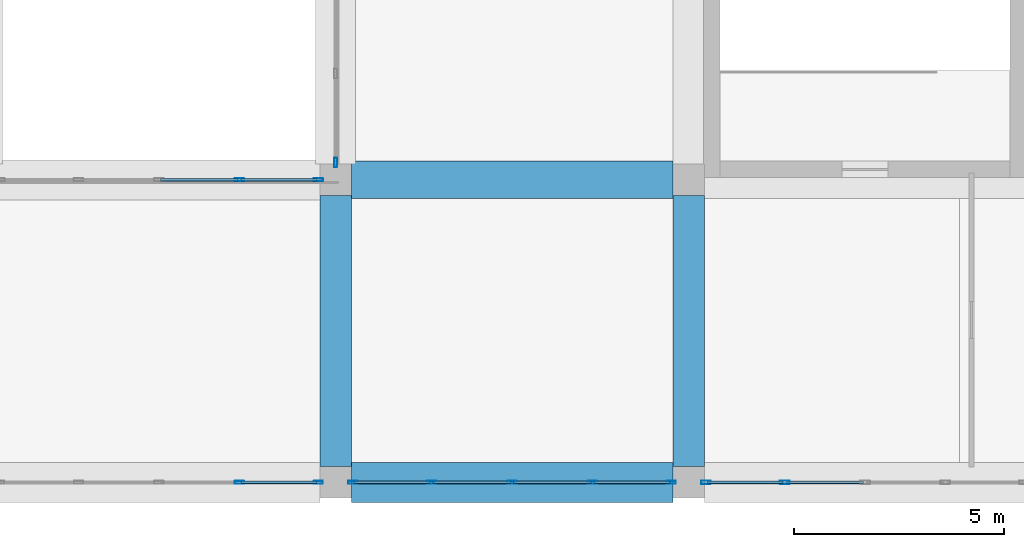
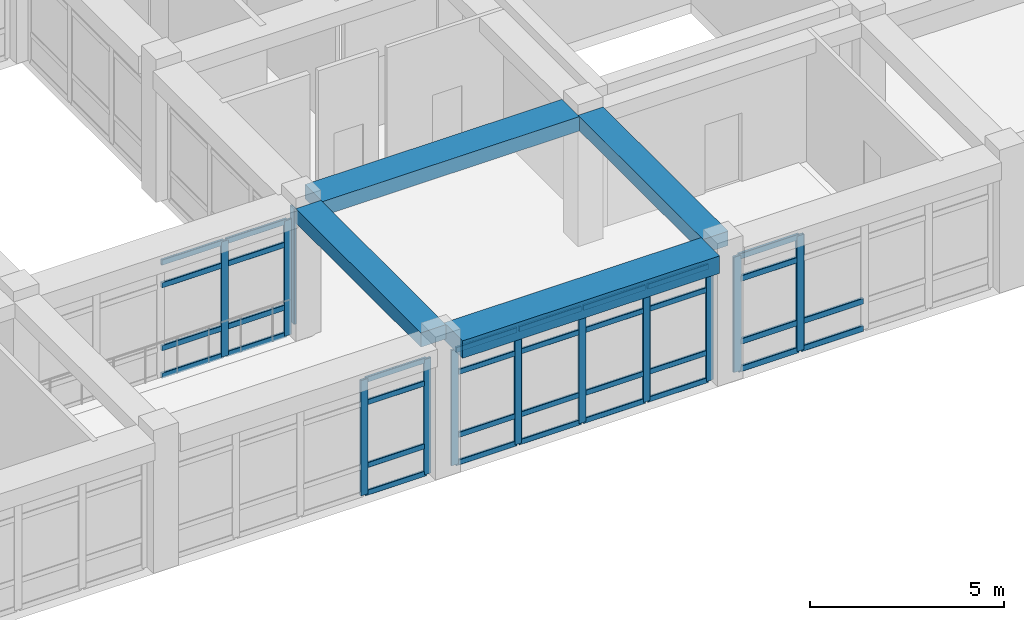
# One storey, part 15 of 121: 46 members, 4 beams, 5 elements without a shape of their own.
"""IFC4 building model written with IfcOpenShell, lengths in metres."""

from ifc_helpers import new_model, si_unit, derived_unit, direction, frame, origin, origin_2d, place, context, subcontext, project, spatial, rectangle, hollow_rectangle, extrude, material, material_profile, profile_set, type_object, element, aggregate, save


model = new_model("IFC4")

# Units and contexts
model_context = context("Model", 3, precision=1e-05, world=origin(), true_north=direction((0.0, 1.0)))
body_context = subcontext(model_context, "Body", "Model", "MODEL_VIEW")
ifc_project = project(units=[si_unit("LENGTHUNIT", "METRE"), si_unit("AREAUNIT", "SQUARE_METRE"), si_unit("VOLUMEUNIT", "CUBIC_METRE"), si_unit("PLANEANGLEUNIT", "RADIAN"), si_unit("MASSUNIT", "GRAM", prefix="KILO"), derived_unit("THERMALTRANSMITTANCEUNIT", [(si_unit("POWERUNIT", "WATT"), 1), (si_unit("LENGTHUNIT", "METRE"), -2), (si_unit("THERMODYNAMICTEMPERATUREUNIT", "KELVIN"), -1)])], contexts=[model_context])

# Site, building, storey
site_placement = place(None, origin())
site = spatial("IfcSite", under=ifc_project, at=site_placement, CompositionType="ELEMENT")
building_placement = place(site_placement, origin())
building = spatial("IfcBuilding", under=site, at=building_placement, Name="Veybourne Emporium", CompositionType="ELEMENT")
storey_placement = place(building_placement, frame((0.0, 0.0, 5.39990234375)))
storey = spatial("IfcBuildingStorey", under=building, at=storey_placement, Name="L01", CompositionType="ELEMENT", Elevation=5.39990234375)

# Curtain wall, members
ifc_material_1 = material(Name="Patinated Architectural Bronze", Category="bronze")
curtain_wall_type_1 = type_object("IfcCurtainWallType", Name="CWSystem_CWS-09", PredefinedType="NOTDEFINED", material=ifc_material_1)
curtain_wall_1_placement = place(storey_placement, origin())
curtain_wall_1 = element("IfcCurtainWall", 1, at=curtain_wall_1_placement, inside=storey, type_object=curtain_wall_type_1, Name="L01 bronze glazed curtain wall CWS-09 (034)", PredefinedType="NOTDEFINED")
ifc_material_profile_1 = material_profile(ifc_material_1, hollow_rectangle(XDim=0.072021484375, YDim=0.22509765625, WallThickness=0.0048828125, InnerFilletRadius=0.007568359375, OuterFilletRadius=0.012451171875, at=origin_2d()), Name="CWM 72x225x5")
ifc_profile_set_1 = profile_set([ifc_material_profile_1], Name="Patinated Architectural Bronze")
member_type_1 = type_object("IfcMemberType", Name="CWMullion_CW-M1", PredefinedType="MULLION", material=ifc_profile_set_1)
member_1_placement = place(storey_placement, frame((64.91259765625, 7.199951171875, 0.0), z_axis=(0.0, 0.0, 1.0), x_axis=(0.0, 1.0, 0.0)))
member_1 = element("IfcMember", 2, at=member_1_placement, type_object=member_type_1, Name="CWS-09 mullion 4", PredefinedType="MULLION", context=body_context, shape_type="SweptSolid", body=[
    extrude(hollow_rectangle(XDim=0.072021484375, YDim=0.22509765625, WallThickness=0.0048828125, InnerFilletRadius=0.007568359375, OuterFilletRadius=0.012451171875, at=origin_2d()), origin(), (0.0, 0.0, 1.0), 3.630126953125),
])
member_2_placement = place(storey_placement, frame((66.7890625, 7.199951171875, 0.0), z_axis=(0.0, 0.0, 1.0), x_axis=(0.0, 1.0, 0.0)))
member_2 = element("IfcMember", 3, at=member_2_placement, type_object=member_type_1, Name="CWS-09 mullion 5", PredefinedType="MULLION", context=body_context, shape_type="SweptSolid", body=[
    extrude(hollow_rectangle(XDim=0.072021484375, YDim=0.22509765625, WallThickness=0.0048828125, InnerFilletRadius=0.007568359375, OuterFilletRadius=0.012451171875, at=origin_2d()), origin(), (0.0, 0.0, 1.0), 3.630126953125),
])

# Curtain wall, member
curtain_wall_type_2 = type_object("IfcCurtainWallType", Name="CWSystem_CWS-13", PredefinedType="NOTDEFINED", material=ifc_material_1)
curtain_wall_2_placement = place(storey_placement, origin())
curtain_wall_2 = element("IfcCurtainWall", 4, at=curtain_wall_2_placement, inside=storey, type_object=curtain_wall_type_2, Name="L01 bronze glazed curtain wall CWS-13 (038)", PredefinedType="NOTDEFINED")
member_3_placement = place(storey_placement, frame((67.199951171875, 7.611083984375, 0.0), z_axis=(0.0, 0.0, 1.0), x_axis=(-1.0, 0.0, 0.0)))
member_3 = element("IfcMember", 5, at=member_3_placement, type_object=member_type_1, Name="CWS-13 mullion 1", PredefinedType="MULLION", context=body_context, shape_type="SweptSolid", body=[
    extrude(hollow_rectangle(XDim=0.072021484375, YDim=0.22509765625, WallThickness=0.0048828125, InnerFilletRadius=0.007568359375, OuterFilletRadius=0.012451171875, at=origin_2d()), origin(), (0.0, 0.0, 1.0), 3.630126953125),
])
aggregate(curtain_wall_2, [member_3])

# Curtain wall, members
curtain_wall_type_3 = type_object("IfcCurtainWallType", Name="CWSystem_CWS-15", PredefinedType="NOTDEFINED", material=ifc_material_1)
curtain_wall_3_placement = place(storey_placement, origin())
curtain_wall_3 = element("IfcCurtainWall", 6, at=curtain_wall_3_placement, inside=storey, type_object=curtain_wall_type_3, Name="L01 bronze glazed curtain wall CWS-15 (041)", PredefinedType="NOTDEFINED")
ifc_material_profile_2 = material_profile(ifc_material_1, hollow_rectangle(XDim=0.077880859375, YDim=0.235107421875, WallThickness=0.0048828125, InnerFilletRadius=0.007568359375, OuterFilletRadius=0.012451171875, at=origin_2d()), Name="CWM 78x235x5")
ifc_profile_set_2 = profile_set([ifc_material_profile_2], Name="Patinated Architectural Bronze")
member_type_2 = type_object("IfcMemberType", Name="CWMullion_CW-M3", PredefinedType="MULLION", material=ifc_profile_set_2)
member_4_placement = place(storey_placement, frame((77.887451171875, 0.0, 0.0), z_axis=(0.0, 0.0, 1.0), x_axis=(0.0, -1.0, 0.0)))
member_4 = element("IfcMember", 7, at=member_4_placement, type_object=member_type_2, Name="CWS-15 mullion 4", PredefinedType="MULLION", context=body_context, shape_type="SweptSolid", body=[
    extrude(hollow_rectangle(XDim=0.077880859375, YDim=0.235107421875, WallThickness=0.0048828125, InnerFilletRadius=0.007568359375, OuterFilletRadius=0.012451171875, at=origin_2d()), origin(), (0.0, 0.0, 1.0), 3.630126953125),
])
member_5_placement = place(storey_placement, frame((76.013916015625, 0.0, 0.0), z_axis=(0.0, 0.0, 1.0), x_axis=(0.0, -1.0, 0.0)))
member_5 = element("IfcMember", 8, at=member_5_placement, type_object=member_type_2, Name="CWS-15 mullion 5", PredefinedType="MULLION", context=body_context, shape_type="SweptSolid", body=[
    extrude(hollow_rectangle(XDim=0.077880859375, YDim=0.235107421875, WallThickness=0.0048828125, InnerFilletRadius=0.007568359375, OuterFilletRadius=0.012451171875, at=origin_2d()), origin(), (0.0, 0.0, 1.0), 3.630126953125),
])

curtain_wall_type_4 = type_object("IfcCurtainWallType", Name="CWSystem_CWS-08", PredefinedType="NOTDEFINED", material=ifc_material_1)
curtain_wall_4_placement = place(storey_placement, origin())
curtain_wall_4 = element("IfcCurtainWall", 9, at=curtain_wall_4_placement, inside=storey, type_object=curtain_wall_type_4, Name="L01 bronze glazed curtain wall CWS-08 (033)", PredefinedType="NOTDEFINED")
ifc_material_profile_3 = material_profile(ifc_material_1, hollow_rectangle(XDim=0.070068359375, YDim=0.219970703125, WallThickness=0.0048828125, InnerFilletRadius=0.007568359375, OuterFilletRadius=0.012451171875, at=origin_2d()), Name="CWM 70x220x5")
ifc_profile_set_3 = profile_set([ifc_material_profile_3], Name="Patinated Architectural Bronze")
member_type_3 = type_object("IfcMemberType", Name="CWMullion_CW-M4", PredefinedType="MULLION", material=ifc_profile_set_3)
member_6_placement = place(storey_placement, frame((66.7900390625, 0.0, 0.0), z_axis=(0.0, 0.0, 1.0), x_axis=(0.0, -1.0, 0.0)))
member_6 = element("IfcMember", 10, at=member_6_placement, type_object=member_type_3, Name="CWS-08 mullion 1", PredefinedType="MULLION", context=body_context, shape_type="SweptSolid", body=[
    extrude(hollow_rectangle(XDim=0.070068359375, YDim=0.219970703125, WallThickness=0.0048828125, InnerFilletRadius=0.007568359375, OuterFilletRadius=0.012451171875, at=origin_2d()), origin(), (0.0, 0.0, 1.0), 3.630126953125),
])
member_7_placement = place(storey_placement, frame((64.91259765625, 0.0, 0.0), z_axis=(0.0, 0.0, 1.0), x_axis=(0.0, -1.0, 0.0)))
member_7 = element("IfcMember", 11, at=member_7_placement, type_object=member_type_3, Name="CWS-08 mullion 2", PredefinedType="MULLION", context=body_context, shape_type="SweptSolid", body=[
    extrude(hollow_rectangle(XDim=0.070068359375, YDim=0.219970703125, WallThickness=0.0048828125, InnerFilletRadius=0.007568359375, OuterFilletRadius=0.012451171875, at=origin_2d()), origin(), (0.0, 0.0, 1.0), 3.630126953125),
])

curtain_wall_type_5 = type_object("IfcCurtainWallType", Name="CWSystem_CWS-12", PredefinedType="NOTDEFINED", material=ifc_material_1)
curtain_wall_5_placement = place(storey_placement, origin())
curtain_wall_5 = element("IfcCurtainWall", 12, at=curtain_wall_5_placement, inside=storey, type_object=curtain_wall_type_5, Name="L01 bronze glazed curtain wall CWS-12 (037)", PredefinedType="NOTDEFINED")
member_8_placement = place(storey_placement, frame((75.18994140625, 0.0, 0.0), z_axis=(0.0, 0.0, 1.0), x_axis=(0.0, -1.0, 0.0)))
member_8 = element("IfcMember", 13, at=member_8_placement, type_object=member_type_3, Name="CWS-12 mullion 1", PredefinedType="MULLION", context=body_context, shape_type="SweptSolid", body=[
    extrude(hollow_rectangle(XDim=0.070068359375, YDim=0.219970703125, WallThickness=0.0048828125, InnerFilletRadius=0.007568359375, OuterFilletRadius=0.012451171875, at=origin_2d()), origin(), (0.0, 0.0, 1.0), 3.630126953125),
])
member_9_placement = place(storey_placement, frame((73.3125, 0.0, 0.0), z_axis=(0.0, 0.0, 1.0), x_axis=(0.0, -1.0, 0.0)))
member_9 = element("IfcMember", 14, at=member_9_placement, type_object=member_type_3, Name="CWS-12 mullion 2", PredefinedType="MULLION", context=body_context, shape_type="SweptSolid", body=[
    extrude(hollow_rectangle(XDim=0.070068359375, YDim=0.219970703125, WallThickness=0.0048828125, InnerFilletRadius=0.007568359375, OuterFilletRadius=0.012451171875, at=origin_2d()), origin(), (0.0, 0.0, 1.0), 3.630126953125),
])
member_10_placement = place(storey_placement, frame((71.39990234375, 0.0, 0.0), z_axis=(0.0, 0.0, 1.0), x_axis=(0.0, -1.0, 0.0)))
member_10 = element("IfcMember", 15, at=member_10_placement, type_object=member_type_3, Name="CWS-12 mullion 3", PredefinedType="MULLION", context=body_context, shape_type="SweptSolid", body=[
    extrude(hollow_rectangle(XDim=0.070068359375, YDim=0.219970703125, WallThickness=0.0048828125, InnerFilletRadius=0.007568359375, OuterFilletRadius=0.012451171875, at=origin_2d()), origin(), (0.0, 0.0, 1.0), 3.630126953125),
])
member_11_placement = place(storey_placement, frame((69.487548828125, 0.0, 0.0), z_axis=(0.0, 0.0, 1.0), x_axis=(0.0, -1.0, 0.0)))
member_11 = element("IfcMember", 16, at=member_11_placement, type_object=member_type_3, Name="CWS-12 mullion 4", PredefinedType="MULLION", context=body_context, shape_type="SweptSolid", body=[
    extrude(hollow_rectangle(XDim=0.070068359375, YDim=0.219970703125, WallThickness=0.0048828125, InnerFilletRadius=0.007568359375, OuterFilletRadius=0.012451171875, at=origin_2d()), origin(), (0.0, 0.0, 1.0), 3.630126953125),
])
member_12_placement = place(storey_placement, frame((67.610107421875, 0.0, 0.0), z_axis=(0.0, 0.0, 1.0), x_axis=(0.0, -1.0, 0.0)))
member_12 = element("IfcMember", 17, at=member_12_placement, type_object=member_type_3, Name="CWS-12 mullion 5", PredefinedType="MULLION", context=body_context, shape_type="SweptSolid", body=[
    extrude(hollow_rectangle(XDim=0.070068359375, YDim=0.219970703125, WallThickness=0.0048828125, InnerFilletRadius=0.007568359375, OuterFilletRadius=0.012451171875, at=origin_2d()), origin(), (0.0, 0.0, 1.0), 3.630126953125),
])

# Member
ifc_material_profile_4 = material_profile(ifc_material_1, hollow_rectangle(XDim=0.072021484375, YDim=0.175048828125, WallThickness=0.0048828125, InnerFilletRadius=0.007568359375, OuterFilletRadius=0.012451171875, at=origin_2d()), Name="CWT 72x175x5")
ifc_profile_set_4 = profile_set([ifc_material_profile_4], Name="Patinated Architectural Bronze")
member_type_4 = type_object("IfcMemberType", Name="CWTransom_CW-T1", PredefinedType="NOTDEFINED", material=ifc_profile_set_4)
member_13_placement = place(storey_placement, frame((63.035888671875, 7.199951171875, 0.0361328125), z_axis=(1.0, 0.0, 0.0), x_axis=(0.0, 1.0, 0.0)))
member_13 = element("IfcMember", 18, at=member_13_placement, type_object=member_type_4, Name="CWS-09 transom 3.1", ObjectType="TRANSOM", PredefinedType="USERDEFINED", context=body_context, shape_type="SweptSolid", body=[
    extrude(hollow_rectangle(XDim=0.072021484375, YDim=0.175048828125, WallThickness=0.0048828125, InnerFilletRadius=0.007568359375, OuterFilletRadius=0.012451171875, at=origin_2d()), origin(), (0.0, 0.0, 1.0), 1.840576171875),
])

member_14_placement = place(storey_placement, frame((63.035888671875, 7.199951171875, 0.900146484375), z_axis=(1.0, 0.0, 0.0), x_axis=(0.0, 1.0, 0.0)))
member_14 = element("IfcMember", 19, at=member_14_placement, type_object=member_type_4, Name="CWS-09 transom 3.2", ObjectType="TRANSOM", PredefinedType="USERDEFINED", context=body_context, shape_type="SweptSolid", body=[
    extrude(hollow_rectangle(XDim=0.072021484375, YDim=0.175048828125, WallThickness=0.0048828125, InnerFilletRadius=0.007568359375, OuterFilletRadius=0.012451171875, at=origin_2d()), origin(), (0.0, 0.0, 1.0), 1.840576171875),
])

member_15_placement = place(storey_placement, frame((63.035888671875, 7.199951171875, 2.880126953125), z_axis=(1.0, 0.0, 0.0), x_axis=(0.0, 1.0, 0.0)))
member_15 = element("IfcMember", 20, at=member_15_placement, type_object=member_type_4, Name="CWS-09 transom 3.3", ObjectType="TRANSOM", PredefinedType="USERDEFINED", context=body_context, shape_type="SweptSolid", body=[
    extrude(hollow_rectangle(XDim=0.072021484375, YDim=0.175048828125, WallThickness=0.0048828125, InnerFilletRadius=0.007568359375, OuterFilletRadius=0.012451171875, at=origin_2d()), origin(), (0.0, 0.0, 1.0), 1.840576171875),
])

member_16_placement = place(storey_placement, frame((63.035888671875, 7.199951171875, 3.593994140625), z_axis=(1.0, 0.0, 0.0), x_axis=(0.0, 1.0, 0.0)))
member_16 = element("IfcMember", 21, at=member_16_placement, type_object=member_type_4, Name="CWS-09 transom 3.4", ObjectType="TRANSOM", PredefinedType="USERDEFINED", context=body_context, shape_type="SweptSolid", body=[
    extrude(hollow_rectangle(XDim=0.072021484375, YDim=0.175048828125, WallThickness=0.0048828125, InnerFilletRadius=0.007568359375, OuterFilletRadius=0.012451171875, at=origin_2d()), origin(), (0.0, 0.0, 1.0), 1.840576171875),
])

member_17_placement = place(storey_placement, frame((64.948486328125, 7.199951171875, 0.0361328125), z_axis=(1.0, 0.0, 0.0), x_axis=(0.0, 1.0, 0.0)))
member_17 = element("IfcMember", 22, at=member_17_placement, type_object=member_type_4, Name="CWS-09 transom 4.1", ObjectType="TRANSOM", PredefinedType="USERDEFINED", context=body_context, shape_type="SweptSolid", body=[
    extrude(hollow_rectangle(XDim=0.072021484375, YDim=0.175048828125, WallThickness=0.0048828125, InnerFilletRadius=0.007568359375, OuterFilletRadius=0.012451171875, at=origin_2d()), origin(), (0.0, 0.0, 1.0), 1.804443359375),
])

member_18_placement = place(storey_placement, frame((64.948486328125, 7.199951171875, 0.900146484375), z_axis=(1.0, 0.0, 0.0), x_axis=(0.0, 1.0, 0.0)))
member_18 = element("IfcMember", 23, at=member_18_placement, type_object=member_type_4, Name="CWS-09 transom 4.2", ObjectType="TRANSOM", PredefinedType="USERDEFINED", context=body_context, shape_type="SweptSolid", body=[
    extrude(hollow_rectangle(XDim=0.072021484375, YDim=0.175048828125, WallThickness=0.0048828125, InnerFilletRadius=0.007568359375, OuterFilletRadius=0.012451171875, at=origin_2d()), origin(), (0.0, 0.0, 1.0), 1.804443359375),
])

member_19_placement = place(storey_placement, frame((64.948486328125, 7.199951171875, 2.880126953125), z_axis=(1.0, 0.0, 0.0), x_axis=(0.0, 1.0, 0.0)))
member_19 = element("IfcMember", 24, at=member_19_placement, type_object=member_type_4, Name="CWS-09 transom 4.3", ObjectType="TRANSOM", PredefinedType="USERDEFINED", context=body_context, shape_type="SweptSolid", body=[
    extrude(hollow_rectangle(XDim=0.072021484375, YDim=0.175048828125, WallThickness=0.0048828125, InnerFilletRadius=0.007568359375, OuterFilletRadius=0.012451171875, at=origin_2d()), origin(), (0.0, 0.0, 1.0), 1.804443359375),
])

member_20_placement = place(storey_placement, frame((64.948486328125, 7.199951171875, 3.593994140625), z_axis=(1.0, 0.0, 0.0), x_axis=(0.0, 1.0, 0.0)))
member_20 = element("IfcMember", 25, at=member_20_placement, type_object=member_type_4, Name="CWS-09 transom 4.4", ObjectType="TRANSOM", PredefinedType="USERDEFINED", context=body_context, shape_type="SweptSolid", body=[
    extrude(hollow_rectangle(XDim=0.072021484375, YDim=0.175048828125, WallThickness=0.0048828125, InnerFilletRadius=0.007568359375, OuterFilletRadius=0.012451171875, at=origin_2d()), origin(), (0.0, 0.0, 1.0), 1.804443359375),
])

aggregate(curtain_wall_1, [member_1, member_2, member_13, member_14, member_15, member_16, member_17, member_18, member_19, member_20])

ifc_material_profile_5 = material_profile(ifc_material_1, hollow_rectangle(XDim=0.077880859375, YDim=0.18505859375, WallThickness=0.0048828125, InnerFilletRadius=0.007568359375, OuterFilletRadius=0.012451171875, at=origin_2d()), Name="CWT 78x185x5")
ifc_profile_set_5 = profile_set([ifc_material_profile_5], Name="Patinated Architectural Bronze")
member_type_5 = type_object("IfcMemberType", Name="CWTransom_CW-T3", PredefinedType="NOTDEFINED", material=ifc_profile_set_5)
member_21_placement = place(storey_placement, frame((79.760986328125, 0.0, 0.0390625), z_axis=(-1.0, 0.0, 0.0), x_axis=(0.0, -1.0, 0.0)))
member_21 = element("IfcMember", 26, at=member_21_placement, type_object=member_type_5, Name="CWS-15 transom 3.1", ObjectType="TRANSOM", PredefinedType="USERDEFINED", context=body_context, shape_type="SweptSolid", body=[
    extrude(hollow_rectangle(XDim=0.077880859375, YDim=0.18505859375, WallThickness=0.0048828125, InnerFilletRadius=0.007568359375, OuterFilletRadius=0.012451171875, at=origin_2d()), origin(), (0.0, 0.0, 1.0), 1.83447265625),
])

member_22_placement = place(storey_placement, frame((79.760986328125, 0.0, 0.900146484375), z_axis=(-1.0, 0.0, 0.0), x_axis=(0.0, -1.0, 0.0)))
member_22 = element("IfcMember", 27, at=member_22_placement, type_object=member_type_5, Name="CWS-15 transom 3.2", ObjectType="TRANSOM", PredefinedType="USERDEFINED", context=body_context, shape_type="SweptSolid", body=[
    extrude(hollow_rectangle(XDim=0.077880859375, YDim=0.18505859375, WallThickness=0.0048828125, InnerFilletRadius=0.007568359375, OuterFilletRadius=0.012451171875, at=origin_2d()), origin(), (0.0, 0.0, 1.0), 1.83447265625),
])

member_23_placement = place(storey_placement, frame((77.848388671875, 0.0, 0.0390625), z_axis=(-1.0, 0.0, 0.0), x_axis=(0.0, -1.0, 0.0)))
member_23 = element("IfcMember", 28, at=member_23_placement, type_object=member_type_5, Name="CWS-15 transom 4.1", ObjectType="TRANSOM", PredefinedType="USERDEFINED", context=body_context, shape_type="SweptSolid", body=[
    extrude(hollow_rectangle(XDim=0.077880859375, YDim=0.18505859375, WallThickness=0.0048828125, InnerFilletRadius=0.007568359375, OuterFilletRadius=0.012451171875, at=origin_2d()), origin(), (0.0, 0.0, 1.0), 1.79541015625),
])

member_24_placement = place(storey_placement, frame((77.848388671875, 0.0, 0.900146484375), z_axis=(-1.0, 0.0, 0.0), x_axis=(0.0, -1.0, 0.0)))
member_24 = element("IfcMember", 29, at=member_24_placement, type_object=member_type_5, Name="CWS-15 transom 4.2", ObjectType="TRANSOM", PredefinedType="USERDEFINED", context=body_context, shape_type="SweptSolid", body=[
    extrude(hollow_rectangle(XDim=0.077880859375, YDim=0.18505859375, WallThickness=0.0048828125, InnerFilletRadius=0.007568359375, OuterFilletRadius=0.012451171875, at=origin_2d()), origin(), (0.0, 0.0, 1.0), 1.79541015625),
])

member_25_placement = place(storey_placement, frame((77.848388671875, 0.0, 2.880126953125), z_axis=(-1.0, 0.0, 0.0), x_axis=(0.0, -1.0, 0.0)))
member_25 = element("IfcMember", 30, at=member_25_placement, type_object=member_type_5, Name="CWS-15 transom 4.3", ObjectType="TRANSOM", PredefinedType="USERDEFINED", context=body_context, shape_type="SweptSolid", body=[
    extrude(hollow_rectangle(XDim=0.077880859375, YDim=0.18505859375, WallThickness=0.0048828125, InnerFilletRadius=0.007568359375, OuterFilletRadius=0.012451171875, at=origin_2d()), origin(), (0.0, 0.0, 1.0), 1.79541015625),
])

member_26_placement = place(storey_placement, frame((77.848388671875, 0.0, 3.591064453125), z_axis=(-1.0, 0.0, 0.0), x_axis=(0.0, -1.0, 0.0)))
member_26 = element("IfcMember", 31, at=member_26_placement, type_object=member_type_5, Name="CWS-15 transom 4.4", ObjectType="TRANSOM", PredefinedType="USERDEFINED", context=body_context, shape_type="SweptSolid", body=[
    extrude(hollow_rectangle(XDim=0.077880859375, YDim=0.18505859375, WallThickness=0.0048828125, InnerFilletRadius=0.007568359375, OuterFilletRadius=0.012451171875, at=origin_2d()), origin(), (0.0, 0.0, 1.0), 1.79541015625),
])

aggregate(curtain_wall_3, [member_4, member_5, member_21, member_22, member_23, member_24, member_25, member_26])

ifc_material_profile_6 = material_profile(ifc_material_1, hollow_rectangle(XDim=0.070068359375, YDim=0.169921875, WallThickness=0.0048828125, InnerFilletRadius=0.007568359375, OuterFilletRadius=0.012451171875, at=origin_2d()), Name="CWT 70x170x5")
ifc_profile_set_6 = profile_set([ifc_material_profile_6], Name="Patinated Architectural Bronze")
member_type_6 = type_object("IfcMemberType", Name="CWTransom_CW-T4", PredefinedType="NOTDEFINED", material=ifc_profile_set_6)
member_27_placement = place(storey_placement, frame((66.7548828125, 0.0, 0.03515625), z_axis=(-1.0, 0.0, 0.0), x_axis=(0.0, -1.0, 0.0)))
member_27 = element("IfcMember", 32, at=member_27_placement, type_object=member_type_6, Name="CWS-08 transom 1.1", ObjectType="TRANSOM", PredefinedType="USERDEFINED", context=body_context, shape_type="SweptSolid", body=[
    extrude(hollow_rectangle(XDim=0.070068359375, YDim=0.169921875, WallThickness=0.0048828125, InnerFilletRadius=0.007568359375, OuterFilletRadius=0.012451171875, at=origin_2d()), origin(), (0.0, 0.0, 1.0), 1.807373046875),
])

member_28_placement = place(storey_placement, frame((66.7548828125, 0.0, 0.900146484375), z_axis=(-1.0, 0.0, 0.0), x_axis=(0.0, -1.0, 0.0)))
member_28 = element("IfcMember", 33, at=member_28_placement, type_object=member_type_6, Name="CWS-08 transom 1.2", ObjectType="TRANSOM", PredefinedType="USERDEFINED", context=body_context, shape_type="SweptSolid", body=[
    extrude(hollow_rectangle(XDim=0.070068359375, YDim=0.169921875, WallThickness=0.0048828125, InnerFilletRadius=0.007568359375, OuterFilletRadius=0.012451171875, at=origin_2d()), origin(), (0.0, 0.0, 1.0), 1.807373046875),
])

member_29_placement = place(storey_placement, frame((66.7548828125, 0.0, 2.880126953125), z_axis=(-1.0, 0.0, 0.0), x_axis=(0.0, -1.0, 0.0)))
member_29 = element("IfcMember", 34, at=member_29_placement, type_object=member_type_6, Name="CWS-08 transom 1.3", ObjectType="TRANSOM", PredefinedType="USERDEFINED", context=body_context, shape_type="SweptSolid", body=[
    extrude(hollow_rectangle(XDim=0.070068359375, YDim=0.169921875, WallThickness=0.0048828125, InnerFilletRadius=0.007568359375, OuterFilletRadius=0.012451171875, at=origin_2d()), origin(), (0.0, 0.0, 1.0), 1.807373046875),
])

member_30_placement = place(storey_placement, frame((66.7548828125, 0.0, 3.59521484375), z_axis=(-1.0, 0.0, 0.0), x_axis=(0.0, -1.0, 0.0)))
member_30 = element("IfcMember", 35, at=member_30_placement, type_object=member_type_6, Name="CWS-08 transom 1.4", ObjectType="TRANSOM", PredefinedType="USERDEFINED", context=body_context, shape_type="SweptSolid", body=[
    extrude(hollow_rectangle(XDim=0.070068359375, YDim=0.169921875, WallThickness=0.0048828125, InnerFilletRadius=0.007568359375, OuterFilletRadius=0.012451171875, at=origin_2d()), origin(), (0.0, 0.0, 1.0), 1.807373046875),
])

aggregate(curtain_wall_4, [member_6, member_7, member_27, member_28, member_29, member_30])

member_31_placement = place(storey_placement, frame((75.155029296875, 0.0, 0.03515625), z_axis=(-1.0, 0.0, 0.0), x_axis=(0.0, -1.0, 0.0)))
member_31 = element("IfcMember", 36, at=member_31_placement, type_object=member_type_6, Name="CWS-12 transom 1.1", ObjectType="TRANSOM", PredefinedType="USERDEFINED", context=body_context, shape_type="SweptSolid", body=[
    extrude(hollow_rectangle(XDim=0.070068359375, YDim=0.169921875, WallThickness=0.0048828125, InnerFilletRadius=0.007568359375, OuterFilletRadius=0.012451171875, at=origin_2d()), origin(), (0.0, 0.0, 1.0), 1.8076171875),
])

member_32_placement = place(storey_placement, frame((75.155029296875, 0.0, 0.900146484375), z_axis=(-1.0, 0.0, 0.0), x_axis=(0.0, -1.0, 0.0)))
member_32 = element("IfcMember", 37, at=member_32_placement, type_object=member_type_6, Name="CWS-12 transom 1.2", ObjectType="TRANSOM", PredefinedType="USERDEFINED", context=body_context, shape_type="SweptSolid", body=[
    extrude(hollow_rectangle(XDim=0.070068359375, YDim=0.169921875, WallThickness=0.0048828125, InnerFilletRadius=0.007568359375, OuterFilletRadius=0.012451171875, at=origin_2d()), origin(), (0.0, 0.0, 1.0), 1.8076171875),
])

member_33_placement = place(storey_placement, frame((75.155029296875, 0.0, 2.880126953125), z_axis=(-1.0, 0.0, 0.0), x_axis=(0.0, -1.0, 0.0)))
member_33 = element("IfcMember", 38, at=member_33_placement, type_object=member_type_6, Name="CWS-12 transom 1.3", ObjectType="TRANSOM", PredefinedType="USERDEFINED", context=body_context, shape_type="SweptSolid", body=[
    extrude(hollow_rectangle(XDim=0.070068359375, YDim=0.169921875, WallThickness=0.0048828125, InnerFilletRadius=0.007568359375, OuterFilletRadius=0.012451171875, at=origin_2d()), origin(), (0.0, 0.0, 1.0), 1.8076171875),
])

member_34_placement = place(storey_placement, frame((75.155029296875, 0.0, 3.59521484375), z_axis=(-1.0, 0.0, 0.0), x_axis=(0.0, -1.0, 0.0)))
member_34 = element("IfcMember", 39, at=member_34_placement, type_object=member_type_6, Name="CWS-12 transom 1.4", ObjectType="TRANSOM", PredefinedType="USERDEFINED", context=body_context, shape_type="SweptSolid", body=[
    extrude(hollow_rectangle(XDim=0.070068359375, YDim=0.169921875, WallThickness=0.0048828125, InnerFilletRadius=0.007568359375, OuterFilletRadius=0.012451171875, at=origin_2d()), origin(), (0.0, 0.0, 1.0), 1.8076171875),
])

member_35_placement = place(storey_placement, frame((73.277587890625, 0.0, 0.03515625), z_axis=(-1.0, 0.0, 0.0), x_axis=(0.0, -1.0, 0.0)))
member_35 = element("IfcMember", 40, at=member_35_placement, type_object=member_type_6, Name="CWS-12 transom 2.1", ObjectType="TRANSOM", PredefinedType="USERDEFINED", context=body_context, shape_type="SweptSolid", body=[
    extrude(hollow_rectangle(XDim=0.070068359375, YDim=0.169921875, WallThickness=0.0048828125, InnerFilletRadius=0.007568359375, OuterFilletRadius=0.012451171875, at=origin_2d()), origin(), (0.0, 0.0, 1.0), 1.842529296875),
])

member_36_placement = place(storey_placement, frame((73.277587890625, 0.0, 0.900146484375), z_axis=(-1.0, 0.0, 0.0), x_axis=(0.0, -1.0, 0.0)))
member_36 = element("IfcMember", 41, at=member_36_placement, type_object=member_type_6, Name="CWS-12 transom 2.2", ObjectType="TRANSOM", PredefinedType="USERDEFINED", context=body_context, shape_type="SweptSolid", body=[
    extrude(hollow_rectangle(XDim=0.070068359375, YDim=0.169921875, WallThickness=0.0048828125, InnerFilletRadius=0.007568359375, OuterFilletRadius=0.012451171875, at=origin_2d()), origin(), (0.0, 0.0, 1.0), 1.842529296875),
])

member_37_placement = place(storey_placement, frame((73.277587890625, 0.0, 2.880126953125), z_axis=(-1.0, 0.0, 0.0), x_axis=(0.0, -1.0, 0.0)))
member_37 = element("IfcMember", 42, at=member_37_placement, type_object=member_type_6, Name="CWS-12 transom 2.3", ObjectType="TRANSOM", PredefinedType="USERDEFINED", context=body_context, shape_type="SweptSolid", body=[
    extrude(hollow_rectangle(XDim=0.070068359375, YDim=0.169921875, WallThickness=0.0048828125, InnerFilletRadius=0.007568359375, OuterFilletRadius=0.012451171875, at=origin_2d()), origin(), (0.0, 0.0, 1.0), 1.842529296875),
])

member_38_placement = place(storey_placement, frame((73.277587890625, 0.0, 3.59521484375), z_axis=(-1.0, 0.0, 0.0), x_axis=(0.0, -1.0, 0.0)))
member_38 = element("IfcMember", 43, at=member_38_placement, type_object=member_type_6, Name="CWS-12 transom 2.4", ObjectType="TRANSOM", PredefinedType="USERDEFINED", context=body_context, shape_type="SweptSolid", body=[
    extrude(hollow_rectangle(XDim=0.070068359375, YDim=0.169921875, WallThickness=0.0048828125, InnerFilletRadius=0.007568359375, OuterFilletRadius=0.012451171875, at=origin_2d()), origin(), (0.0, 0.0, 1.0), 1.842529296875),
])

member_39_placement = place(storey_placement, frame((71.364990234375, 0.0, 0.03515625), z_axis=(-1.0, 0.0, 0.0), x_axis=(0.0, -1.0, 0.0)))
member_39 = element("IfcMember", 44, at=member_39_placement, type_object=member_type_6, Name="CWS-12 transom 3.1", ObjectType="TRANSOM", PredefinedType="USERDEFINED", context=body_context, shape_type="SweptSolid", body=[
    extrude(hollow_rectangle(XDim=0.070068359375, YDim=0.169921875, WallThickness=0.0048828125, InnerFilletRadius=0.007568359375, OuterFilletRadius=0.012451171875, at=origin_2d()), origin(), (0.0, 0.0, 1.0), 1.842529296875),
])

member_40_placement = place(storey_placement, frame((71.364990234375, 0.0, 0.900146484375), z_axis=(-1.0, 0.0, 0.0), x_axis=(0.0, -1.0, 0.0)))
member_40 = element("IfcMember", 45, at=member_40_placement, type_object=member_type_6, Name="CWS-12 transom 3.2", ObjectType="TRANSOM", PredefinedType="USERDEFINED", context=body_context, shape_type="SweptSolid", body=[
    extrude(hollow_rectangle(XDim=0.070068359375, YDim=0.169921875, WallThickness=0.0048828125, InnerFilletRadius=0.007568359375, OuterFilletRadius=0.012451171875, at=origin_2d()), origin(), (0.0, 0.0, 1.0), 1.842529296875),
])

member_41_placement = place(storey_placement, frame((71.364990234375, 0.0, 2.880126953125), z_axis=(-1.0, 0.0, 0.0), x_axis=(0.0, -1.0, 0.0)))
member_41 = element("IfcMember", 46, at=member_41_placement, type_object=member_type_6, Name="CWS-12 transom 3.3", ObjectType="TRANSOM", PredefinedType="USERDEFINED", context=body_context, shape_type="SweptSolid", body=[
    extrude(hollow_rectangle(XDim=0.070068359375, YDim=0.169921875, WallThickness=0.0048828125, InnerFilletRadius=0.007568359375, OuterFilletRadius=0.012451171875, at=origin_2d()), origin(), (0.0, 0.0, 1.0), 1.842529296875),
])

member_42_placement = place(storey_placement, frame((71.364990234375, 0.0, 3.59521484375), z_axis=(-1.0, 0.0, 0.0), x_axis=(0.0, -1.0, 0.0)))
member_42 = element("IfcMember", 47, at=member_42_placement, type_object=member_type_6, Name="CWS-12 transom 3.4", ObjectType="TRANSOM", PredefinedType="USERDEFINED", context=body_context, shape_type="SweptSolid", body=[
    extrude(hollow_rectangle(XDim=0.070068359375, YDim=0.169921875, WallThickness=0.0048828125, InnerFilletRadius=0.007568359375, OuterFilletRadius=0.012451171875, at=origin_2d()), origin(), (0.0, 0.0, 1.0), 1.842529296875),
])

member_43_placement = place(storey_placement, frame((69.452392578125, 0.0, 0.03515625), z_axis=(-1.0, 0.0, 0.0), x_axis=(0.0, -1.0, 0.0)))
member_43 = element("IfcMember", 48, at=member_43_placement, type_object=member_type_6, Name="CWS-12 transom 4.1", ObjectType="TRANSOM", PredefinedType="USERDEFINED", context=body_context, shape_type="SweptSolid", body=[
    extrude(hollow_rectangle(XDim=0.070068359375, YDim=0.169921875, WallThickness=0.0048828125, InnerFilletRadius=0.007568359375, OuterFilletRadius=0.012451171875, at=origin_2d()), origin(), (0.0, 0.0, 1.0), 1.807373046875),
])

member_44_placement = place(storey_placement, frame((69.452392578125, 0.0, 0.900146484375), z_axis=(-1.0, 0.0, 0.0), x_axis=(0.0, -1.0, 0.0)))
member_44 = element("IfcMember", 49, at=member_44_placement, type_object=member_type_6, Name="CWS-12 transom 4.2", ObjectType="TRANSOM", PredefinedType="USERDEFINED", context=body_context, shape_type="SweptSolid", body=[
    extrude(hollow_rectangle(XDim=0.070068359375, YDim=0.169921875, WallThickness=0.0048828125, InnerFilletRadius=0.007568359375, OuterFilletRadius=0.012451171875, at=origin_2d()), origin(), (0.0, 0.0, 1.0), 1.807373046875),
])

member_45_placement = place(storey_placement, frame((69.452392578125, 0.0, 2.880126953125), z_axis=(-1.0, 0.0, 0.0), x_axis=(0.0, -1.0, 0.0)))
member_45 = element("IfcMember", 50, at=member_45_placement, type_object=member_type_6, Name="CWS-12 transom 4.3", ObjectType="TRANSOM", PredefinedType="USERDEFINED", context=body_context, shape_type="SweptSolid", body=[
    extrude(hollow_rectangle(XDim=0.070068359375, YDim=0.169921875, WallThickness=0.0048828125, InnerFilletRadius=0.007568359375, OuterFilletRadius=0.012451171875, at=origin_2d()), origin(), (0.0, 0.0, 1.0), 1.807373046875),
])

member_46_placement = place(storey_placement, frame((69.452392578125, 0.0, 3.59521484375), z_axis=(-1.0, 0.0, 0.0), x_axis=(0.0, -1.0, 0.0)))
member_46 = element("IfcMember", 51, at=member_46_placement, type_object=member_type_6, Name="CWS-12 transom 4.4", ObjectType="TRANSOM", PredefinedType="USERDEFINED", context=body_context, shape_type="SweptSolid", body=[
    extrude(hollow_rectangle(XDim=0.070068359375, YDim=0.169921875, WallThickness=0.0048828125, InnerFilletRadius=0.007568359375, OuterFilletRadius=0.012451171875, at=origin_2d()), origin(), (0.0, 0.0, 1.0), 1.807373046875),
])

aggregate(curtain_wall_5, [member_8, member_9, member_10, member_11, member_12, member_31, member_32, member_33, member_34, member_35, member_36, member_37, member_38, member_39, member_40, member_41, member_42, member_43, member_44, member_45, member_46])

# Beams
ifc_material_2 = material(Name="Concrete C32/40", Category="concrete")
ifc_material_profile_7 = material_profile(ifc_material_2, rectangle(XDim=0.89990234375, YDim=0.449951171875, at=origin_2d()), Name="RC 900x450")
ifc_profile_set_7 = profile_set([ifc_material_profile_7], Name="Concrete C32/40")
beam_type_1 = type_object("IfcBeamType", Name="RCBeam_BB-03", PredefinedType="BEAM", material=ifc_profile_set_7)
beam_1_placement = place(storey_placement, frame((67.574951171875, 7.199951171875, 3.955078125), z_axis=(1.0, 0.0, 0.0), x_axis=(0.0, 1.0, 0.0)))
element("IfcBeam", 52, at=beam_1_placement, inside=storey, type_object=beam_type_1, Name="L01 X-grid beam BB-03 (8,1)", PredefinedType="BEAM", context=body_context, shape_type="SweptSolid", body=[
    extrude(rectangle(XDim=0.89990234375, YDim=0.449951171875, at=origin_2d()), origin(), (0.0, 0.0, 1.0), 7.650146484375),
])
ifc_material_profile_8 = material_profile(ifc_material_2, rectangle(XDim=0.75, YDim=0.449951171875, at=origin_2d()), Name="RC 750x450")
ifc_profile_set_8 = profile_set([ifc_material_profile_8], Name="Concrete C32/40")
beam_type_2 = type_object("IfcBeamType", Name="RCBeam_BB-04", PredefinedType="BEAM", material=ifc_profile_set_8)
for number, where, z_axis, x_axis, name in (
    (53, (67.199951171875, 0.375, 3.955078125), (0.0, 1.0, 0.0), (-1.0, 0.0, 0.0), "L01 Y-grid beam BB-04 (8,0)"),
    (54, (75.60009765625, 0.375, 3.955078125), (0.0, 1.0, 0.0), (-1.0, 0.0, 0.0), "L01 Y-grid beam BB-04 (9,0)"),
):
    element("IfcBeam", number, at=place(storey_placement, frame(where, z_axis=z_axis, x_axis=x_axis)), inside=storey, type_object=beam_type_2, Name=name, PredefinedType="BEAM", context=body_context, shape_type="SweptSolid", body=[
        extrude(rectangle(XDim=0.75, YDim=0.449951171875, at=origin_2d()), origin(), (0.0, 0.0, 1.0), 6.449951171875),
    ])
ifc_material_profile_9 = material_profile(ifc_material_2, rectangle(XDim=0.949951171875, YDim=0.550048828125, at=origin_2d()), Name="RC 950x550")
ifc_profile_set_9 = profile_set([ifc_material_profile_9], Name="Concrete C32/40")
beam_type_3 = type_object("IfcBeamType", Name="RCBeam_EB-01", PredefinedType="SPANDREL", material=ifc_profile_set_9)
beam_2_placement = place(storey_placement, frame((67.574951171875, 0.0, 3.905029296875), z_axis=(1.0, 0.0, 0.0), x_axis=(0.0, 1.0, 0.0)))
element("IfcBeam", 55, at=beam_2_placement, inside=storey, type_object=beam_type_3, Name="L01 X-grid beam EB-01 (8,0)", PredefinedType="SPANDREL", context=body_context, shape_type="SweptSolid", body=[
    extrude(rectangle(XDim=0.949951171875, YDim=0.550048828125, at=origin_2d()), origin(), (0.0, 0.0, 1.0), 7.650146484375),
])

save(model, "model.ifc")
